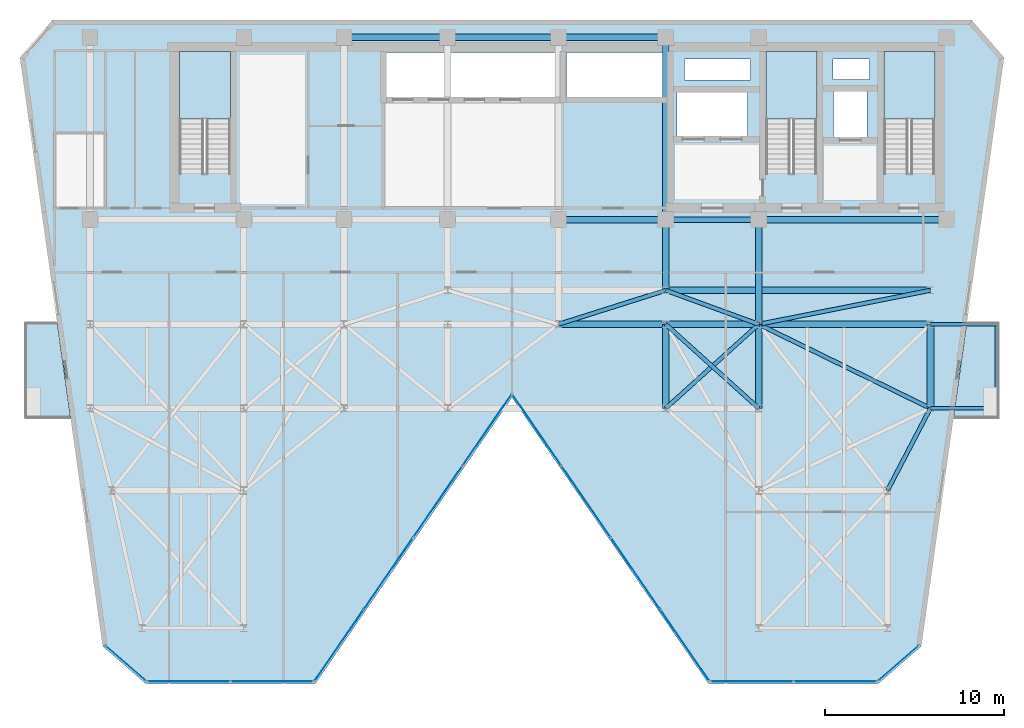
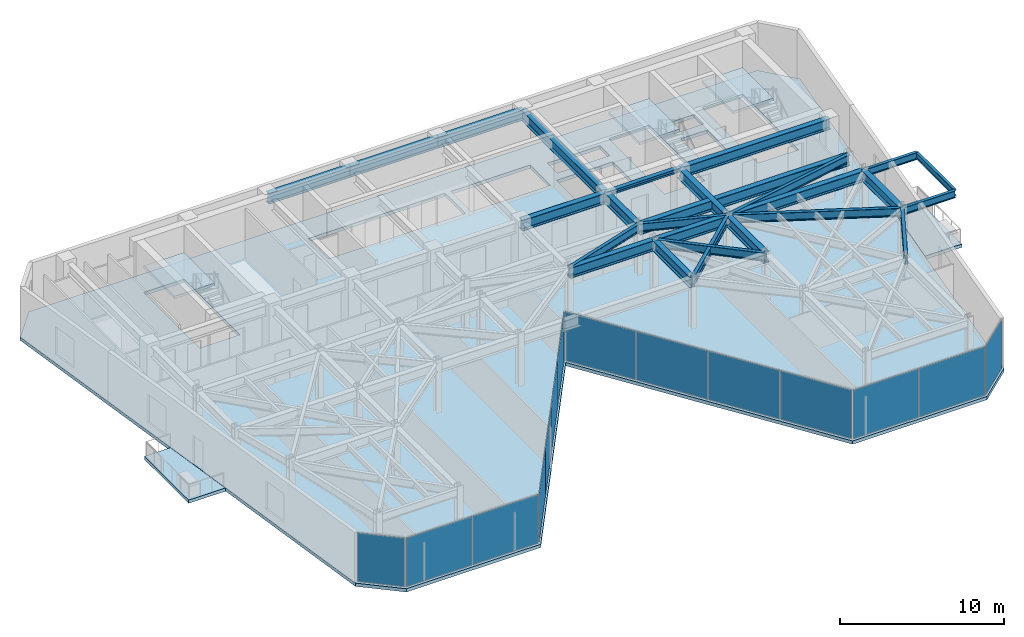
# One storey, part 15 of 21: 26 beams, 14 plates, 6 slabs, 9 elements without a shape of their own.
"""IFC4 building model written with IfcOpenShell, lengths in metres."""

from ifc_helpers import new_model, si_unit, direction, frame, origin, origin_2d, place, context, subcontext, project, spatial, polyline, rectangle, i_section, outline, extrude, material, layer, layer_set, material_profile, profile_set, type_object, element, aggregate, save


model = new_model("IFC4")

# Units and contexts
model_context = context("Model", 3, precision=1e-05, world=origin(), true_north=direction((0.0, 1.0)))
body_context = subcontext(model_context, "Body", "Model", "MODEL_VIEW")
ifc_project = project(units=[si_unit("LENGTHUNIT", "METRE"), si_unit("AREAUNIT", "SQUARE_METRE"), si_unit("VOLUMEUNIT", "CUBIC_METRE"), si_unit("PLANEANGLEUNIT", "RADIAN"), si_unit("MASSUNIT", "GRAM", prefix="KILO")], contexts=[model_context])

# Site, building, storey
site_placement = place(None, origin())
site = spatial("IfcSite", under=ifc_project, at=site_placement, CompositionType="ELEMENT")
building_placement = place(site_placement, origin())
building = spatial("IfcBuilding", under=site, at=building_placement, Name="Kravanh Interchange Tower", CompositionType="ELEMENT")
storey_placement = place(building_placement, frame((0.0, 0.0, 168.5)))
storey = spatial("IfcBuildingStorey", under=building, at=storey_placement, Name="L40", CompositionType="ELEMENT", Elevation=168.5)

# Beams
ifc_material_1 = material(Name="Structural Steel S355", Category="steel")
ifc_material_profile_1 = material_profile(ifc_material_1, i_section(OverallWidth=0.381103515625, OverallDepth=0.77294921875, WebThickness=0.0166015625, FlangeThickness=0.027099609375, FilletRadius=0.02490234375, at=origin_2d()), Name="W30X173")
ifc_profile_set_1 = profile_set([ifc_material_profile_1], Name="Structural Steel S355")
beam_type_1 = type_object("IfcBeamType", Name="Floor Beam W30X173 Structural Steel S355", PredefinedType="BEAM", material=ifc_profile_set_1)
beam_1_placement = place(storey_placement, frame((66.5, 37.35009765625, 3.368408203125), z_axis=(-1.0, 0.0, 0.0), x_axis=(0.0, -1.0, 0.0)))
element("IfcBeam", 1, at=beam_1_placement, inside=storey, type_object=beam_type_1, Name="L40 Primary Floor Girder 5", PredefinedType="BEAM", context=body_context, shape_type="SweptSolid", body=[
    extrude(i_section(OverallWidth=0.381103515625, OverallDepth=0.77294921875, WebThickness=0.0166015625, FlangeThickness=0.027099609375, FilletRadius=0.02490234375, at=origin_2d()), origin(), (0.0, 0.0, 1.0), 10.5),
])
beam_2_placement = place(storey_placement, frame((56.0, 37.35009765625, 3.368408203125), z_axis=(0.0, -1.0, 0.0), x_axis=(1.0, 0.0, 0.0)))
element("IfcBeam", 2, at=beam_2_placement, inside=storey, type_object=beam_type_1, Name="L40 Primary Floor Girder 7", PredefinedType="BEAM", context=body_context, shape_type="SweptSolid", body=[
    extrude(i_section(OverallWidth=0.381103515625, OverallDepth=0.77294921875, WebThickness=0.0166015625, FlangeThickness=0.027099609375, FilletRadius=0.02490234375, at=origin_2d()), origin(), (0.0, 0.0, 1.0), 5.85009765625),
])
beam_3_placement = place(storey_placement, frame((50.800048828125, 47.550048828125, 3.368408203125), z_axis=(-1.0, 0.0, 0.0), x_axis=(0.0, -1.0, 0.0)))
element("IfcBeam", 3, at=beam_3_placement, inside=storey, type_object=beam_type_1, Name="L40 Primary Floor Girder 8", PredefinedType="BEAM", context=body_context, shape_type="SweptSolid", body=[
    extrude(i_section(OverallWidth=0.381103515625, OverallDepth=0.77294921875, WebThickness=0.0166015625, FlangeThickness=0.027099609375, FilletRadius=0.02490234375, at=origin_2d()), origin(), (0.0, 0.0, 1.0), 6.0),
])
beam_4_placement = place(storey_placement, frame((50.800048828125, 47.550048828125, 3.368408203125), z_axis=(0.0, -1.0, 0.0), x_axis=(1.0, 0.0, 0.0)))
element("IfcBeam", 4, at=beam_4_placement, inside=storey, type_object=beam_type_1, Name="L40 Primary Floor Girder 9", PredefinedType="BEAM", context=body_context, shape_type="SweptSolid", body=[
    extrude(i_section(OverallWidth=0.381103515625, OverallDepth=0.77294921875, WebThickness=0.0166015625, FlangeThickness=0.027099609375, FilletRadius=0.02490234375, at=origin_2d()), origin(), (0.0, 0.0, 1.0), 10.199951171875),
])
beam_5_placement = place(storey_placement, frame((50.800048828125, 37.35009765625, 3.368408203125), z_axis=(0.0, -1.0, 0.0), x_axis=(1.0, 0.0, 0.0)))
element("IfcBeam", 5, at=beam_5_placement, inside=storey, type_object=beam_type_1, Name="L40 Primary Floor Girder 10", PredefinedType="BEAM", context=body_context, shape_type="SweptSolid", body=[
    extrude(i_section(OverallWidth=0.381103515625, OverallDepth=0.77294921875, WebThickness=0.0166015625, FlangeThickness=0.027099609375, FilletRadius=0.02490234375, at=origin_2d()), origin(), (0.0, 0.0, 1.0), 3.9501953125),
])
beam_6_placement = place(storey_placement, frame((50.800048828125, 37.35009765625, 3.368408203125), z_axis=(-1.0, 0.0, 0.0), x_axis=(0.0, -1.0, 0.0)))
element("IfcBeam", 6, at=beam_6_placement, inside=storey, type_object=beam_type_1, Name="L40 Primary Floor Girder 11", PredefinedType="BEAM", context=body_context, shape_type="SweptSolid", body=[
    extrude(i_section(OverallWidth=0.381103515625, OverallDepth=0.77294921875, WebThickness=0.0166015625, FlangeThickness=0.027099609375, FilletRadius=0.02490234375, at=origin_2d()), origin(), (0.0, 0.0, 1.0), 6.0),
])
beam_7_placement = place(storey_placement, frame((44.800048828125, 47.550048828125, 3.368408203125), z_axis=(-1.0, 0.0, 0.0), x_axis=(0.0, -1.0, 0.0)))
element("IfcBeam", 7, at=beam_7_placement, inside=storey, type_object=beam_type_1, Name="L40 Primary Floor Girder 15", PredefinedType="BEAM", context=body_context, shape_type="SweptSolid", body=[
    extrude(i_section(OverallWidth=0.381103515625, OverallDepth=0.77294921875, WebThickness=0.0166015625, FlangeThickness=0.027099609375, FilletRadius=0.02490234375, at=origin_2d()), origin(), (0.0, 0.0, 1.0), 6.199951171875),
])
beam_8_placement = place(storey_placement, frame((38.60009765625, 47.550048828125, 3.368408203125), z_axis=(-1.0, 0.0, 0.0), x_axis=(0.0, -1.0, 0.0)))
element("IfcBeam", 8, at=beam_8_placement, inside=storey, type_object=beam_type_1, Name="L40 Primary Floor Girder 19", PredefinedType="BEAM", context=body_context, shape_type="SweptSolid", body=[
    extrude(i_section(OverallWidth=0.381103515625, OverallDepth=0.77294921875, WebThickness=0.0166015625, FlangeThickness=0.027099609375, FilletRadius=0.02490234375, at=origin_2d()), origin(), (0.0, 0.0, 1.0), 5.800048828125),
])
for number, where, z_axis, x_axis, name in (
    (9, (50.800048828125, 26.800048828125, 3.368408203125), (0.0, 1.0, 0.0), (-1.0, 0.0, 0.0), "L40 Primary Floor Girder 49"),
    (10, (56.0, 26.800048828125, 3.368408203125), (0.0, 1.0, 0.0), (-1.0, 0.0, 0.0), "L40 Primary Floor Girder 54"),
    (11, (65.60009765625, 26.800048828125, 3.368408203125), (0.0, 1.0, 0.0), (-1.0, 0.0, 0.0), "L40 Primary Floor Girder 57"),
):
    element("IfcBeam", number, at=place(storey_placement, frame(where, z_axis=z_axis, x_axis=x_axis)), inside=storey, type_object=beam_type_1, Name=name, PredefinedType="BEAM", context=body_context, shape_type="SweptSolid", body=[
        extrude(i_section(OverallWidth=0.381103515625, OverallDepth=0.77294921875, WebThickness=0.0166015625, FlangeThickness=0.027099609375, FilletRadius=0.02490234375, at=origin_2d()), origin(), (0.0, 0.0, 1.0), 4.699951171875),
    ])
beam_9_placement = place(storey_placement, frame((44.800048828125, 31.5, 3.368408203125), z_axis=(1.0, 0.0, 0.0), x_axis=(0.0, 1.0, 0.0)))
element("IfcBeam", 12, at=beam_9_placement, inside=storey, type_object=beam_type_1, Name="L40 Primary Floor Girder 74", PredefinedType="BEAM", context=body_context, shape_type="SweptSolid", body=[
    extrude(i_section(OverallWidth=0.381103515625, OverallDepth=0.77294921875, WebThickness=0.0166015625, FlangeThickness=0.027099609375, FilletRadius=0.02490234375, at=origin_2d()), origin(), (0.0, 0.0, 1.0), 6.0),
])
beam_10_placement = place(storey_placement, frame((50.800048828125, 31.5, 3.368408203125), z_axis=(1.0, 0.0, 0.0), x_axis=(0.0, 1.0, 0.0)))
element("IfcBeam", 13, at=beam_10_placement, inside=storey, type_object=beam_type_1, Name="L40 Primary Floor Girder 77", PredefinedType="BEAM", context=body_context, shape_type="SweptSolid", body=[
    extrude(i_section(OverallWidth=0.381103515625, OverallDepth=0.77294921875, WebThickness=0.0166015625, FlangeThickness=0.027099609375, FilletRadius=0.02490234375, at=origin_2d()), origin(), (0.0, 0.0, 1.0), 5.199951171875),
])
beam_11_placement = place(storey_placement, frame((56.0, 31.5, 3.368408203125), z_axis=(1.0, 0.0, 0.0), x_axis=(0.0, 1.0, 0.0)))
element("IfcBeam", 14, at=beam_11_placement, inside=storey, type_object=beam_type_1, Name="L40 Primary Floor Girder 81", PredefinedType="BEAM", context=body_context, shape_type="SweptSolid", body=[
    extrude(i_section(OverallWidth=0.381103515625, OverallDepth=0.77294921875, WebThickness=0.0166015625, FlangeThickness=0.027099609375, FilletRadius=0.02490234375, at=origin_2d()), origin(), (0.0, 0.0, 1.0), 9.60009765625),
])
beam_12_placement = place(storey_placement, frame((50.800048828125, 33.39990234375, 3.368408203125), z_axis=(1.0, 0.0, 0.0), x_axis=(0.0, 1.0, 0.0)))
element("IfcBeam", 15, at=beam_12_placement, inside=storey, type_object=beam_type_1, Name="L40 Primary Floor Girder 95", PredefinedType="BEAM", context=body_context, shape_type="SweptSolid", body=[
    extrude(i_section(OverallWidth=0.381103515625, OverallDepth=0.77294921875, WebThickness=0.0166015625, FlangeThickness=0.027099609375, FilletRadius=0.02490234375, at=origin_2d()), origin(), (0.0, 0.0, 1.0), 14.800048828125),
])
ifc_material_2 = material(Name="Structural Steel S355", Category="steel")
ifc_material_profile_2 = material_profile(ifc_material_2, i_section(OverallWidth=0.18994140625, OverallDepth=0.45703125, WebThickness=0.009033203125, FlangeThickness=0.014404296875, FilletRadius=0.01806640625, at=origin_2d()), Name="W18X50")
ifc_profile_set_2 = profile_set([ifc_material_profile_2], Name="Structural Steel S355")
beam_type_2 = type_object("IfcBeamType", Name="Floor Joist W18X50 Structural Steel S355", PredefinedType="JOIST", material=ifc_profile_set_2)
beam_13_placement = place(storey_placement, frame((69.324951171875, 26.800048828125, 3.526611328125), z_axis=(0.0, 1.0, 0.0), x_axis=(-1.0, 0.0, 0.0)))
element("IfcBeam", 16, at=beam_13_placement, inside=storey, type_object=beam_type_2, Name="L40 Balcony Edge Tie Beam E", PredefinedType="JOIST", context=body_context, shape_type="SweptSolid", body=[
    extrude(i_section(OverallWidth=0.18994140625, OverallDepth=0.45703125, WebThickness=0.009033203125, FlangeThickness=0.014404296875, FilletRadius=0.01806640625, at=origin_2d()), origin(), (0.0, 0.0, 1.0), 4.699951171875),
])
ifc_material_3 = material(Name="Structural Steel S355", Category="steel")
ifc_material_profile_3 = material_profile(ifc_material_3, i_section(OverallWidth=0.304931640625, OverallDepth=0.306884765625, WebThickness=0.010009765625, FlangeThickness=0.015380859375, FilletRadius=0.014892578125, at=origin_2d()), Name="W12X65")
ifc_profile_set_3 = profile_set([ifc_material_profile_3], Name="Structural Steel S355")
beam_type_3 = type_object("IfcBeamType", Name="Floor Lintel W12X65 Structural Steel S355", PredefinedType="LINTEL", material=ifc_profile_set_3)
beam_14_placement = place(storey_placement, frame((50.800048828125, 37.35009765625, 3.6015625), z_axis=(1.0, 0.0, 0.0), x_axis=(0.0, 1.0, 0.0)))
element("IfcBeam", 17, at=beam_14_placement, inside=storey, type_object=beam_type_3, Name="L40 Core Coupling Lintel 1", PredefinedType="LINTEL", context=body_context, shape_type="SweptSolid", body=[
    extrude(i_section(OverallWidth=0.304931640625, OverallDepth=0.306884765625, WebThickness=0.010009765625, FlangeThickness=0.015380859375, FilletRadius=0.014892578125, at=origin_2d()), origin(), (0.0, 0.0, 1.0), 5.199951171875),
])
ifc_material_4 = material(Name="Structural Steel S355", Category="steel")
ifc_material_profile_4 = material_profile(ifc_material_4, i_section(OverallWidth=0.2099609375, OverallDepth=0.537109375, WebThickness=0.010986328125, FlangeThickness=0.017333984375, FilletRadius=0.02001953125, at=origin_2d()), Name="W21X68")
ifc_profile_set_4 = profile_set([ifc_material_profile_4], Name="Structural Steel S355")
beam_type_4 = type_object("IfcBeamType", Name="Floor Spandrel W21X68 Structural Steel S355", PredefinedType="SPANDREL", material=ifc_profile_set_4)
for number, where, z_axis, x_axis, name in (
    (18, (65.60009765625, 26.800048828125, 3.486572265625), (1.0, 0.0, 0.0), (0.0, 1.0, 0.0), "L40 Balcony Cantilever Outrigger E1"),
    (19, (65.60009765625, 31.5, 3.486572265625), (1.0, 0.0, 0.0), (0.0, 1.0, 0.0), "L40 Balcony Cantilever Outrigger E2"),
):
    element("IfcBeam", number, at=place(storey_placement, frame(where, z_axis=z_axis, x_axis=x_axis)), inside=storey, type_object=beam_type_4, Name=name, PredefinedType="SPANDREL", context=body_context, shape_type="SweptSolid", body=[
        extrude(i_section(OverallWidth=0.2099609375, OverallDepth=0.537109375, WebThickness=0.010986328125, FlangeThickness=0.017333984375, FilletRadius=0.02001953125, at=origin_2d()), origin(), (0.0, 0.0, 1.0), 3.724853515625),
    ])
ifc_material_5 = material(Name="Structural Steel S355", Category="steel")
ifc_material_profile_5 = material_profile(ifc_material_5, i_section(OverallWidth=0.22802734375, OverallDepth=0.60791015625, WebThickness=0.01123046875, FlangeThickness=0.017333984375, FilletRadius=0.02197265625, at=origin_2d()), Name="W24X76")
ifc_profile_set_5 = profile_set([ifc_material_profile_5], Name="Structural Steel S355")
beam_type_5 = type_object("IfcBeamType", Name="Floor Spandrel W24X76 Structural Steel S355", PredefinedType="SPANDREL", material=ifc_profile_set_5)
for number, where, z_axis, x_axis, name in (
    (20, (50.800048828125, 26.800048828125, 3.450927734375), (0.741874009795, 0.670539300557, 0.0), (-0.670539300557, 0.741874009795, 0.0), "L40 Perimeter Spandrel 52"),
    (21, (56.0, 26.800048828125, 3.450927734375), (-0.741874009795, 0.670539300557, 0.0), (-0.670539300557, -0.741874009795, 0.0), "L40 Perimeter Spandrel 55"),
):
    element("IfcBeam", number, at=place(storey_placement, frame(where, z_axis=z_axis, x_axis=x_axis)), inside=storey, type_object=beam_type_5, Name=name, PredefinedType="SPANDREL", context=body_context, shape_type="SweptSolid", body=[
        extrude(i_section(OverallWidth=0.22802734375, OverallDepth=0.60791015625, WebThickness=0.01123046875, FlangeThickness=0.017333984375, FilletRadius=0.02197265625, at=origin_2d()), origin(), (0.0, 0.0, 1.0), 7.00927734375),
    ])
beam_15_placement = place(storey_placement, frame((65.60009765625, 26.800048828125, 3.450927734375), z_axis=(-0.462580479178, -0.886577295155, 0.0), x_axis=(0.886577295155, -0.462580479178, 0.0)))
element("IfcBeam", 22, at=beam_15_placement, inside=storey, type_object=beam_type_5, Name="L40 Perimeter Spandrel 58", PredefinedType="SPANDREL", context=body_context, shape_type="SweptSolid", body=[
    extrude(i_section(OverallWidth=0.22802734375, OverallDepth=0.60791015625, WebThickness=0.01123046875, FlangeThickness=0.017333984375, FilletRadius=0.02197265625, at=origin_2d()), origin(), (0.0, 0.0, 1.0), 5.188720703125),
])
beam_16_placement = place(storey_placement, frame((65.60009765625, 26.800048828125, 3.450927734375), z_axis=(-0.898141688387, 0.439706160499, 0.0), x_axis=(-0.439706160499, -0.898141688387, 0.0)))
element("IfcBeam", 23, at=beam_16_placement, inside=storey, type_object=beam_type_5, Name="L40 Perimeter Spandrel 60", PredefinedType="SPANDREL", context=body_context, shape_type="SweptSolid", body=[
    extrude(i_section(OverallWidth=0.22802734375, OverallDepth=0.60791015625, WebThickness=0.01123046875, FlangeThickness=0.017333984375, FilletRadius=0.02197265625, at=origin_2d()), origin(), (0.0, 0.0, 1.0), 10.68896484375),
])
beam_17_placement = place(storey_placement, frame((44.800048828125, 31.5, 3.450927734375), z_axis=(0.953346691051, 0.301877602122, 0.0), x_axis=(-0.301877602122, 0.953346691051, 0.0)))
element("IfcBeam", 24, at=beam_17_placement, inside=storey, type_object=beam_type_5, Name="L40 Perimeter Spandrel 75", PredefinedType="SPANDREL", context=body_context, shape_type="SweptSolid", body=[
    extrude(i_section(OverallWidth=0.22802734375, OverallDepth=0.60791015625, WebThickness=0.01123046875, FlangeThickness=0.017333984375, FilletRadius=0.02197265625, at=origin_2d()), origin(), (0.0, 0.0, 1.0), 6.293701171875),
])
beam_18_placement = place(storey_placement, frame((56.0, 31.5, 3.450927734375), z_axis=(-0.93926957103, 0.343180233896, 0.0), x_axis=(-0.343180233896, -0.93926957103, 0.0)))
element("IfcBeam", 25, at=beam_18_placement, inside=storey, type_object=beam_type_5, Name="L40 Perimeter Spandrel 80", PredefinedType="SPANDREL", context=body_context, shape_type="SweptSolid", body=[
    extrude(i_section(OverallWidth=0.22802734375, OverallDepth=0.60791015625, WebThickness=0.01123046875, FlangeThickness=0.017333984375, FilletRadius=0.02197265625, at=origin_2d()), origin(), (0.0, 0.0, 1.0), 5.5361328125),
])
beam_19_placement = place(storey_placement, frame((56.0, 31.5, 3.450927734375), z_axis=(0.980974000807, 0.194139150457, 0.0), x_axis=(-0.194139150457, 0.980974000807, 0.0)))
element("IfcBeam", 26, at=beam_19_placement, inside=storey, type_object=beam_type_5, Name="L40 Perimeter Spandrel 82", PredefinedType="SPANDREL", context=body_context, shape_type="SweptSolid", body=[
    extrude(i_section(OverallWidth=0.22802734375, OverallDepth=0.60791015625, WebThickness=0.01123046875, FlangeThickness=0.017333984375, FilletRadius=0.02197265625, at=origin_2d()), origin(), (0.0, 0.0, 1.0), 9.786376953125),
])

# Slab
ifc_material_6 = material(Name="Concrete C50/60", Category="concrete")
ifc_layer_1 = layer(ifc_material_6, 0.2451171875)
ifc_layer_set_1 = layer_set([ifc_layer_1], Name="Composite Floor Slab Concrete C50/60 245mm")
slab_type_1 = type_object("IfcSlabType", Name="Composite Floor Slab Concrete C50/60 245mm", PredefinedType="FLOOR", material=ifc_layer_set_1)
slab_1_placement = place(storey_placement, frame((0.0, 0.0, -0.2451171875)))
element("IfcSlab", 27, at=slab_1_placement, inside=storey, type_object=slab_type_1, Name="L40 Structural Floor Slab", PredefinedType="FLOOR", context=body_context, shape_type="SweptSolid", body=[
    extrude(outline(polyline([(19.32177734375, 13.4794921875), (21.714111328125, 11.39990234375), (31.199951171875, 11.39990234375), (42.199951171875, 27.39990234375), (53.199951171875, 11.39990234375), (62.685791015625, 11.39990234375), (65.078125, 13.4794921875), (69.707763671875, 46.42041015625), (67.89990234375, 48.5), (16.5, 48.5), (14.6923828125, 46.42041015625), (19.32177734375, 13.4794921875)]), holes=[polyline([(65.85009765625, 39.925048828125), (65.85009765625, 46.75), (63.0, 46.75), (63.0, 39.925048828125), (65.85009765625, 39.925048828125)]), polyline([(59.25, 39.925048828125), (59.25, 46.75), (56.39990234375, 46.75), (56.39990234375, 39.925048828125), (59.25, 39.925048828125)]), polyline([(26.449951171875, 39.925048828125), (26.449951171875, 46.75), (23.60009765625, 46.75), (23.60009765625, 39.925048828125), (26.449951171875, 39.925048828125)]), polyline([(35.179931640625, 44.219970703125), (44.840087890625, 44.219970703125), (44.840087890625, 46.699951171875), (35.179931640625, 46.699951171875), (35.179931640625, 44.219970703125)]), polyline([(45.239990234375, 44.219970703125), (50.840087890625, 44.219970703125), (50.840087890625, 46.699951171875), (45.239990234375, 46.699951171875), (45.239990234375, 44.219970703125)]), polyline([(51.419921875, 42.02001953125), (55.3798828125, 42.02001953125), (55.3798828125, 44.47998046875), (51.419921875, 44.47998046875), (51.419921875, 42.02001953125)]), polyline([(60.179931640625, 41.97998046875), (62.06005859375, 41.97998046875), (62.06005859375, 44.52001953125), (60.179931640625, 44.52001953125), (60.179931640625, 41.97998046875)]), polyline([(60.14990234375, 45.199951171875), (62.199951171875, 45.199951171875), (62.199951171875, 46.35009765625), (60.14990234375, 46.35009765625), (60.14990234375, 45.199951171875)]), polyline([(51.85009765625, 45.14990234375), (55.550048828125, 45.14990234375), (55.550048828125, 46.35009765625), (51.85009765625, 46.35009765625), (51.85009765625, 45.14990234375)])]), origin(), (0.0, 0.0, 1.0), 0.2451171875),
])

# Stair, slab
ifc_material_7 = material(Name="Concrete C50/60", Category="concrete")
stair_type = type_object("IfcStairType", Name="Core Fire Exit Dogleg Stair Concrete C50/60", PredefinedType="HALF_TURN_STAIR", material=ifc_material_7)
stair_1_placement = place(storey_placement, origin())
stair_1 = element("IfcStair", 28, at=stair_1_placement, inside=storey, type_object=stair_type, Name="L40 Exit Stair ST1", PredefinedType="HALF_TURN_STAIR")
ifc_material_8 = material(Name="Concrete C50/60", Category="concrete")
ifc_layer_2 = layer(ifc_material_8, 0.199951171875)
ifc_layer_set_2 = layer_set([ifc_layer_2], Name="Concrete C50/60 Stair Half-Landing Slab 200mm")
slab_type_2 = type_object("IfcSlabType", Name="Concrete C50/60 Stair Half-Landing Slab 200mm", PredefinedType="LANDING", material=ifc_layer_set_2)
slab_2_placement = place(storey_placement, frame((0.0, 0.0, 1.800048828125)))
slab_2 = element("IfcSlab", 29, at=slab_2_placement, type_object=slab_type_2, Name="ST1 landing 1", PredefinedType="LANDING", context=body_context, shape_type="SweptSolid", body=[
    extrude(outline(polyline([(65.85009765625, 42.97998046875), (65.85009765625, 46.75), (63.0, 46.75), (63.0, 42.97998046875), (65.85009765625, 42.97998046875)])), origin(), (0.0, 0.0, 1.0), 0.199951171875),
])
aggregate(stair_1, [slab_2])

stair_2_placement = place(storey_placement, origin())
stair_2 = element("IfcStair", 30, at=stair_2_placement, inside=storey, type_object=stair_type, Name="L40 Exit Stair ST2", PredefinedType="HALF_TURN_STAIR")
slab_3_placement = place(storey_placement, frame((0.0, 0.0, 1.800048828125)))
slab_3 = element("IfcSlab", 31, at=slab_3_placement, type_object=slab_type_2, Name="ST2 landing 1", PredefinedType="LANDING", context=body_context, shape_type="SweptSolid", body=[
    extrude(outline(polyline([(59.25, 42.97998046875), (59.25, 46.75), (56.39990234375, 46.75), (56.39990234375, 42.97998046875), (59.25, 42.97998046875)])), origin(), (0.0, 0.0, 1.0), 0.199951171875),
])
aggregate(stair_2, [slab_3])

stair_3_placement = place(storey_placement, origin())
stair_3 = element("IfcStair", 32, at=stair_3_placement, inside=storey, type_object=stair_type, Name="L40 Exit Stair ST3", PredefinedType="HALF_TURN_STAIR")
slab_4_placement = place(storey_placement, frame((0.0, 0.0, 1.800048828125)))
slab_4 = element("IfcSlab", 33, at=slab_4_placement, type_object=slab_type_2, Name="ST3 landing 1", PredefinedType="LANDING", context=body_context, shape_type="SweptSolid", body=[
    extrude(outline(polyline([(26.449951171875, 42.97998046875), (26.449951171875, 46.75), (23.60009765625, 46.75), (23.60009765625, 42.97998046875), (26.449951171875, 42.97998046875)])), origin(), (0.0, 0.0, 1.0), 0.199951171875),
])
aggregate(stair_3, [slab_4])

# Curtain wall, plate
ifc_material_9 = material(Name="Anodised Bronze Aluminium", Category="aluminium")
ifc_layer_3 = layer(ifc_material_9, 0.179931640625)
ifc_layer_set_3 = layer_set([ifc_layer_3], Name="Unitised Curtain Wall System CW-Z3 Upper Office")
curtain_wall_type = type_object("IfcCurtainWallType", Name="Unitised Curtain Wall System CW-Z3 Upper Office", PredefinedType="NOTDEFINED", material=ifc_layer_set_3)
curtain_wall_1_placement = place(storey_placement, origin())
curtain_wall_1 = element("IfcCurtainWall", 34, at=curtain_wall_1_placement, inside=storey, type_object=curtain_wall_type, Name="L40 Unitised Curtain Wall CW-L40-01", PredefinedType="NOTDEFINED")
ifc_material_10 = material(Name="Low-E Laminated Architectural Glass", Category="glass")
ifc_layer_4 = layer(ifc_material_10, 0.02392578125)
ifc_layer_set_4 = layer_set([ifc_layer_4], Name="High-Selectivity Double Glazing 24mm")
plate_type = type_object("IfcPlateType", Name="High-Selectivity Double Glazing 24mm", PredefinedType="CURTAIN_PANEL", material=ifc_layer_set_4)
plate_1_placement = place(storey_placement, frame((63.80322265625, 12.5302734375, 0.06005859375), z_axis=(0.0, 0.0, 1.0), x_axis=(-0.754716645379, -0.65605090137, 0.0)))
plate_1 = element("IfcPlate", 35, at=plate_1_placement, type_object=plate_type, Name="CW-Z3 panel 1.1", PredefinedType="CURTAIN_PANEL", context=body_context, shape_type="SweptSolid", body=[
    extrude(rectangle(XDim=2.960205078125, YDim=0.02392578125, at=origin_2d()), origin(), (0.0, 0.0, 1.0), 3.635009765625),
])
aggregate(curtain_wall_1, [plate_1])

# Curtain wall, plates
curtain_wall_2_placement = place(storey_placement, origin())
curtain_wall_2 = element("IfcCurtainWall", 36, at=curtain_wall_2_placement, inside=storey, type_object=curtain_wall_type, Name="L40 Unitised Curtain Wall CW-L40-02", PredefinedType="NOTDEFINED")
plate_2_placement = place(storey_placement, frame((60.281494140625, 11.52001953125, 0.06005859375), z_axis=(0.0, 0.0, 1.0), x_axis=(-1.0, 0.0, 0.0)))
plate_2 = element("IfcPlate", 37, at=plate_2_placement, type_object=plate_type, Name="CW-Z3 panel 1.1", PredefinedType="CURTAIN_PANEL", context=body_context, shape_type="SweptSolid", body=[
    extrude(rectangle(XDim=4.598876953125, YDim=0.02392578125, at=origin_2d()), origin(), (0.0, 0.0, 1.0), 3.635009765625),
])
plate_3_placement = place(storey_placement, frame((55.62255859375, 11.52001953125, 0.06005859375), z_axis=(0.0, 0.0, 1.0), x_axis=(-1.0, 0.0, 0.0)))
plate_3 = element("IfcPlate", 38, at=plate_3_placement, type_object=plate_type, Name="CW-Z3 panel 2.1", PredefinedType="CURTAIN_PANEL", context=body_context, shape_type="SweptSolid", body=[
    extrude(rectangle(XDim=4.598876953125, YDim=0.02392578125, at=origin_2d()), origin(), (0.0, 0.0, 1.0), 3.635009765625),
])
aggregate(curtain_wall_2, [plate_2, plate_3])

curtain_wall_3_placement = place(storey_placement, origin())
curtain_wall_3 = element("IfcCurtainWall", 39, at=curtain_wall_3_placement, inside=storey, type_object=curtain_wall_type, Name="L40 Unitised Curtain Wall CW-L40-03", PredefinedType="NOTDEFINED")
plate_4_placement = place(storey_placement, frame((51.871826171875, 13.5439453125, 0.06005859375), z_axis=(0.0, 0.0, 1.0), x_axis=(-0.566528388217, 0.824042223035, 0.0)))
plate_4 = element("IfcPlate", 40, at=plate_4_placement, type_object=plate_type, Name="CW-Z3 panel 1.1", PredefinedType="CURTAIN_PANEL", context=body_context, shape_type="SweptSolid", body=[
    extrude(rectangle(XDim=4.7919921875, YDim=0.02392578125, at=origin_2d()), origin(), (0.0, 0.0, 1.0), 3.635009765625),
])
plate_5_placement = place(storey_placement, frame((49.114501953125, 17.554443359375, 0.06005859375), z_axis=(0.0, 0.0, 1.0), x_axis=(-0.566528388217, 0.824042223035, 0.0)))
plate_5 = element("IfcPlate", 41, at=plate_5_placement, type_object=plate_type, Name="CW-Z3 panel 2.1", PredefinedType="CURTAIN_PANEL", context=body_context, shape_type="SweptSolid", body=[
    extrude(rectangle(XDim=4.822021484375, YDim=0.02392578125, at=origin_2d()), origin(), (0.0, 0.0, 1.0), 3.635009765625),
])
plate_6_placement = place(storey_placement, frame((46.3486328125, 21.577392578125, 0.06005859375), z_axis=(0.0, 0.0, 1.0), x_axis=(-0.566528388217, 0.824042223035, 0.0)))
plate_6 = element("IfcPlate", 42, at=plate_6_placement, type_object=plate_type, Name="CW-Z3 panel 3.1", PredefinedType="CURTAIN_PANEL", context=body_context, shape_type="SweptSolid", body=[
    extrude(rectangle(XDim=4.822021484375, YDim=0.02392578125, at=origin_2d()), origin(), (0.0, 0.0, 1.0), 3.635009765625),
])
plate_7_placement = place(storey_placement, frame((43.59130859375, 25.587890625, 0.06005859375), z_axis=(0.0, 0.0, 1.0), x_axis=(-0.566528388217, 0.824042223035, 0.0)))
plate_7 = element("IfcPlate", 43, at=plate_7_placement, type_object=plate_type, Name="CW-Z3 panel 4.1", PredefinedType="CURTAIN_PANEL", context=body_context, shape_type="SweptSolid", body=[
    extrude(rectangle(XDim=4.7919921875, YDim=0.02392578125, at=origin_2d()), origin(), (0.0, 0.0, 1.0), 3.635009765625),
])
aggregate(curtain_wall_3, [plate_4, plate_5, plate_6, plate_7])

curtain_wall_4_placement = place(storey_placement, origin())
curtain_wall_4 = element("IfcCurtainWall", 44, at=curtain_wall_4_placement, inside=storey, type_object=curtain_wall_type, Name="L40 Unitised Curtain Wall CW-L40-04", PredefinedType="NOTDEFINED")
plate_8_placement = place(storey_placement, frame((40.80859375, 25.587890625, 0.06005859375), z_axis=(0.0, 0.0, 1.0), x_axis=(-0.566528388217, -0.824042223035, 0.0)))
plate_8 = element("IfcPlate", 45, at=plate_8_placement, type_object=plate_type, Name="CW-Z3 panel 1.1", PredefinedType="CURTAIN_PANEL", context=body_context, shape_type="SweptSolid", body=[
    extrude(rectangle(XDim=4.7919921875, YDim=0.02392578125, at=origin_2d()), origin(), (0.0, 0.0, 1.0), 3.635009765625),
])
plate_9_placement = place(storey_placement, frame((38.05126953125, 21.577392578125, 0.06005859375), z_axis=(0.0, 0.0, 1.0), x_axis=(-0.566528388217, -0.824042223035, 0.0)))
plate_9 = element("IfcPlate", 46, at=plate_9_placement, type_object=plate_type, Name="CW-Z3 panel 2.1", PredefinedType="CURTAIN_PANEL", context=body_context, shape_type="SweptSolid", body=[
    extrude(rectangle(XDim=4.822021484375, YDim=0.02392578125, at=origin_2d()), origin(), (0.0, 0.0, 1.0), 3.635009765625),
])
plate_10_placement = place(storey_placement, frame((35.28564453125, 17.554443359375, 0.06005859375), z_axis=(0.0, 0.0, 1.0), x_axis=(-0.566528388217, -0.824042223035, 0.0)))
plate_10 = element("IfcPlate", 47, at=plate_10_placement, type_object=plate_type, Name="CW-Z3 panel 3.1", PredefinedType="CURTAIN_PANEL", context=body_context, shape_type="SweptSolid", body=[
    extrude(rectangle(XDim=4.822021484375, YDim=0.02392578125, at=origin_2d()), origin(), (0.0, 0.0, 1.0), 3.635009765625),
])
plate_11_placement = place(storey_placement, frame((32.5283203125, 13.5439453125, 0.06005859375), z_axis=(0.0, 0.0, 1.0), x_axis=(-0.566528388217, -0.824042223035, 0.0)))
plate_11 = element("IfcPlate", 48, at=plate_11_placement, type_object=plate_type, Name="CW-Z3 panel 4.1", PredefinedType="CURTAIN_PANEL", context=body_context, shape_type="SweptSolid", body=[
    extrude(rectangle(XDim=4.7919921875, YDim=0.02392578125, at=origin_2d()), origin(), (0.0, 0.0, 1.0), 3.635009765625),
])
aggregate(curtain_wall_4, [plate_8, plate_9, plate_10, plate_11])

curtain_wall_5_placement = place(storey_placement, origin())
curtain_wall_5 = element("IfcCurtainWall", 49, at=curtain_wall_5_placement, inside=storey, type_object=curtain_wall_type, Name="L40 Unitised Curtain Wall CW-L40-05", PredefinedType="NOTDEFINED")
plate_12_placement = place(storey_placement, frame((28.77734375, 11.52001953125, 0.06005859375), z_axis=(0.0, 0.0, 1.0), x_axis=(-1.0, 0.0, 0.0)))
plate_12 = element("IfcPlate", 50, at=plate_12_placement, type_object=plate_type, Name="CW-Z3 panel 1.1", PredefinedType="CURTAIN_PANEL", context=body_context, shape_type="SweptSolid", body=[
    extrude(rectangle(XDim=4.598876953125, YDim=0.02392578125, at=origin_2d()), origin(), (0.0, 0.0, 1.0), 3.635009765625),
])
plate_13_placement = place(storey_placement, frame((24.118408203125, 11.52001953125, 0.06005859375), z_axis=(0.0, 0.0, 1.0), x_axis=(-1.0, 0.0, 0.0)))
plate_13 = element("IfcPlate", 51, at=plate_13_placement, type_object=plate_type, Name="CW-Z3 panel 2.1", PredefinedType="CURTAIN_PANEL", context=body_context, shape_type="SweptSolid", body=[
    extrude(rectangle(XDim=4.598876953125, YDim=0.02392578125, at=origin_2d()), origin(), (0.0, 0.0, 1.0), 3.635009765625),
])
aggregate(curtain_wall_5, [plate_12, plate_13])

# Curtain wall, plate
curtain_wall_6_placement = place(storey_placement, origin())
curtain_wall_6 = element("IfcCurtainWall", 52, at=curtain_wall_6_placement, inside=storey, type_object=curtain_wall_type, Name="L40 Unitised Curtain Wall CW-L40-06", PredefinedType="NOTDEFINED")
plate_14_placement = place(storey_placement, frame((20.5966796875, 12.5302734375, 0.06005859375), z_axis=(0.0, 0.0, 1.0), x_axis=(-0.754716645379, 0.65605090137, 0.0)))
plate_14 = element("IfcPlate", 53, at=plate_14_placement, type_object=plate_type, Name="CW-Z3 panel 1.1", PredefinedType="CURTAIN_PANEL", context=body_context, shape_type="SweptSolid", body=[
    extrude(rectangle(XDim=2.960205078125, YDim=0.02392578125, at=origin_2d()), origin(), (0.0, 0.0, 1.0), 3.635009765625),
])
aggregate(curtain_wall_6, [plate_14])

# Slabs
ifc_material_11 = material(Name="Concrete C50/60", Category="concrete")
ifc_layer_5 = layer(ifc_material_11, 0.199951171875)
ifc_layer_set_5 = layer_set([ifc_layer_5], Name="Planted Tree Balcony Slab Concrete C50/60 200mm")
slab_type_3 = type_object("IfcSlabType", Name="Planted Tree Balcony Slab Concrete C50/60 200mm", PredefinedType="USERDEFINED", material=ifc_layer_set_5)
slab_5_placement = place(storey_placement, frame((0.0, 0.0, -0.2451171875)))
element("IfcSlab", 54, at=slab_5_placement, inside=storey, type_object=slab_type_3, Name="L40 East Tree Planter Balcony Slab", ObjectType="BALCONY", PredefinedType="USERDEFINED", context=body_context, shape_type="SweptSolid", body=[
    extrude(outline(polyline([(69.47900390625, 31.6298828125), (69.47900390625, 26.22998046875), (66.88525390625, 26.22998046875), (67.644287109375, 31.6298828125), (69.47900390625, 31.6298828125)])), origin(), (0.0, 0.0, 1.0), 0.2451171875),
])
slab_6_placement = place(storey_placement, frame((0.0, 0.0, -0.2451171875)))
element("IfcSlab", 55, at=slab_6_placement, inside=storey, type_object=slab_type_3, Name="L40 West Tree Planter Balcony Slab", ObjectType="BALCONY", PredefinedType="USERDEFINED", context=body_context, shape_type="SweptSolid", body=[
    extrude(outline(polyline([(14.9208984375, 26.22998046875), (14.9208984375, 31.6298828125), (16.755859375, 31.6298828125), (17.5146484375, 26.22998046875), (14.9208984375, 26.22998046875)])), origin(), (0.0, 0.0, 1.0), 0.2451171875),
])

save(model, "model.ifc")
